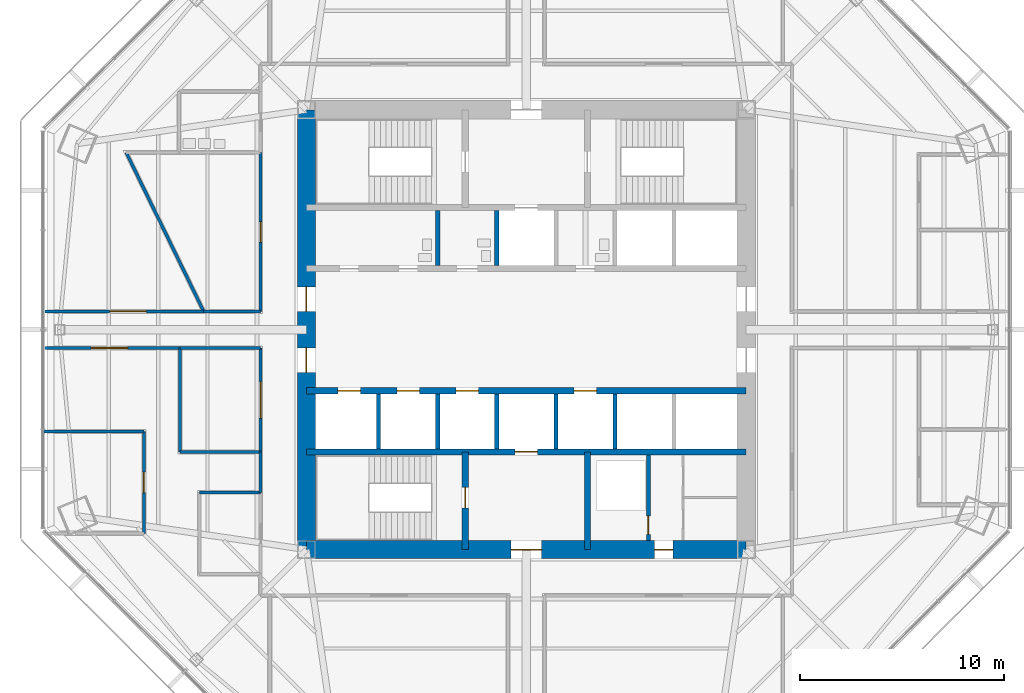
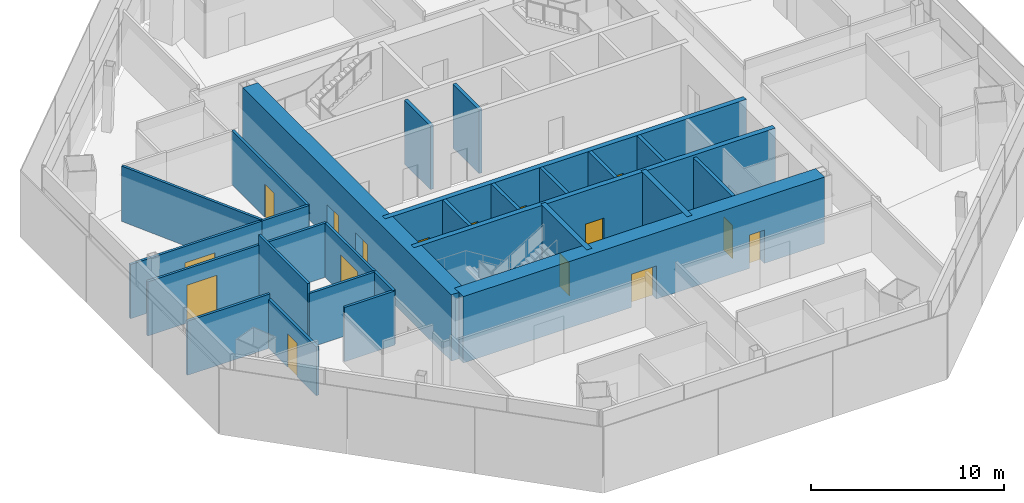
# One storey, part 9 of 15: 27 walls, 16 doors, 16 openings.
"""IFC4 building model written with IfcOpenShell, lengths in metres."""

from ifc_helpers import new_model, si_unit, direction, frame, frame_2d, origin, place, context, subcontext, project, spatial, rectangle, extrude, material, layer, layer_set, type_object, element, fill, save


model = new_model("IFC4")

# Units and contexts
model_context = context("Model", 3, precision=1e-05, world=origin(), true_north=direction((0.0, 1.0)))
body_context = subcontext(model_context, "Body", "Model", "MODEL_VIEW")
ifc_project = project(units=[si_unit("LENGTHUNIT", "METRE"), si_unit("AREAUNIT", "SQUARE_METRE"), si_unit("VOLUMEUNIT", "CUBIC_METRE"), si_unit("PLANEANGLEUNIT", "RADIAN"), si_unit("MASSUNIT", "GRAM", prefix="KILO")], contexts=[model_context])

# Site, building, storey
site_placement = place(None, origin())
site = spatial("IfcSite", under=ifc_project, at=site_placement, CompositionType="ELEMENT")
building_placement = place(site_placement, origin())
building = spatial("IfcBuilding", under=site, at=building_placement, Name="Mashrafa Tower", CompositionType="ELEMENT")
storey_placement = place(building_placement, frame((0.0, 0.0, 151.199951171875)))
storey = spatial("IfcBuildingStorey", under=building, at=storey_placement, Name="L34", CompositionType="ELEMENT", Elevation=151.199951171875)

# Wall, opening, door
ifc_material_1 = material(Name="Concrete masonry unit", Category="masonry")
ifc_layer_1 = layer(ifc_material_1, 0.199951171875)
ifc_layer_set_1 = layer_set([ifc_layer_1], Name="Blockwork wall 200 2 hr")
wall_type_1 = type_object("IfcWallType", Name="Blockwork wall 200 2 hr", PredefinedType="PARTITIONING", material=ifc_layer_set_1)
wall_1_placement = place(storey_placement, frame((6.0, -10.35009765625, 0.0), z_axis=(0.0, 0.0, 1.0), x_axis=(0.0, 1.0, 0.0)))
wall_1 = element("IfcWall", 1, at=wall_1_placement, inside=storey, type_object=wall_type_1, Name="Riser enclosure wall L34", PredefinedType="PARTITIONING", context=body_context, shape_type="SweptSolid", body=[
    extrude(rectangle(XDim=4.2001953125, YDim=0.199951171875, at=frame_2d((2.10009765625, 0.0))), origin(), (0.0, 0.0, 1.0), 4.03515625),
])
opening_1_placement = place(wall_1_placement, frame((0.300048828125, 0.0, 0.0)))
opening_1 = element("IfcOpeningElement", 2, at=opening_1_placement, cuts=wall_1, Name="Opening 34.036", PredefinedType="OPENING", context=body_context, shape_type="SweptSolid", body=[
    extrude(rectangle(XDim=0.89990234375, YDim=2.10009765625, at=frame_2d((0.449951171875, 1.050048828125))), frame((0.0, 0.10986328125, 0.0), z_axis=(0.0, -1.0, 0.0), x_axis=(1.0, 0.0, 0.0)), (0.0, 0.0, 1.0), 0.219970703125),
])
ifc_material_2 = material(Name="Steel door", Category="steel")
door_type_1 = type_object("IfcDoorType", Name="Service door 900 x 2100 90 min", OperationType="USERDEFINED", PredefinedType="DOOR", material=ifc_material_2)
door_1_placement = place(opening_1_placement, origin())
door_1 = element("IfcDoor", 3, at=door_1_placement, inside=storey, type_object=door_type_1, Name="Riser door L34", OperationType="SINGLE_SWING_LEFT", OverallHeight=2.10009765625, OverallWidth=0.89990234375, PredefinedType="DOOR", context=body_context, shape_type="SweptSolid", body=[
    extrude(rectangle(XDim=0.89990234375, YDim=2.10009765625, at=frame_2d((0.449951171875, 1.050048828125))), frame((0.0, 0.02490234375, 0.0), z_axis=(0.0, -1.0, 0.0), x_axis=(1.0, 0.0, 0.0)), (0.0, 0.0, 1.0), 0.050048828125),
])
fill(opening_1, door_1)

# Wall, openings, doors
ifc_material_3 = material(Name="Concrete C60/75", Category="concrete")
ifc_layer_2 = layer(ifc_material_3, 0.300048828125)
ifc_layer_set_2 = layer_set([ifc_layer_2], Name="Core wall 300 C60/75")
wall_type_2 = type_object("IfcWallType", Name="Core wall 300 C60/75", PredefinedType="SOLIDWALL", material=ifc_layer_set_2)
wall_2_placement = place(storey_placement, frame((-10.800048828125, -3.0, 0.0), z_axis=(0.0, 0.0, 1.0), x_axis=(1.0, 0.0, 0.0)))
wall_2 = element("IfcWall", 4, at=wall_2_placement, inside=storey, type_object=wall_type_2, Name="Core wall CH-S L34", PredefinedType="SOLIDWALL", context=body_context, shape_type="SweptSolid", body=[
    extrude(rectangle(XDim=21.60009765625, YDim=0.300048828125, at=frame_2d((10.800048828125, 0.0))), origin(), (0.0, 0.0, 1.0), 4.199951171875),
])
opening_2_placement = place(wall_2_placement, frame((1.550048828125, 0.0, 0.0)))
opening_2 = element("IfcOpeningElement", 5, at=opening_2_placement, cuts=wall_2, Name="Opening 34.B1", PredefinedType="OPENING", context=body_context, shape_type="SweptSolid", body=[
    extrude(rectangle(XDim=1.10009765625, YDim=2.10009765625, at=frame_2d((0.550048828125, 1.050048828125))), frame((0.0, 0.159912109375, 0.0), z_axis=(0.0, -1.0, 0.0), x_axis=(1.0, 0.0, 0.0)), (0.0, 0.0, 1.0), 0.320068359375),
])
opening_3_placement = place(wall_2_placement, frame((4.449951171875, 0.0, 0.0)))
opening_3 = element("IfcOpeningElement", 6, at=opening_3_placement, cuts=wall_2, Name="Opening 34.B2", PredefinedType="OPENING", context=body_context, shape_type="SweptSolid", body=[
    extrude(rectangle(XDim=1.10009765625, YDim=2.10009765625, at=frame_2d((0.550048828125, 1.050048828125))), frame((0.0, 0.159912109375, 0.0), z_axis=(0.0, -1.0, 0.0), x_axis=(1.0, 0.0, 0.0)), (0.0, 0.0, 1.0), 0.320068359375),
])
opening_4_placement = place(wall_2_placement, frame((7.35009765625, 0.0, 0.0)))
opening_4 = element("IfcOpeningElement", 7, at=opening_4_placement, cuts=wall_2, Name="Opening 34.B3", PredefinedType="OPENING", context=body_context, shape_type="SweptSolid", body=[
    extrude(rectangle(XDim=1.10009765625, YDim=2.10009765625, at=frame_2d((0.550048828125, 1.050048828125))), frame((0.0, 0.159912109375, 0.0), z_axis=(0.0, -1.0, 0.0), x_axis=(1.0, 0.0, 0.0)), (0.0, 0.0, 1.0), 0.320068359375),
])
opening_5_placement = place(wall_2_placement, frame((13.14990234375, 0.0, 0.0)))
opening_5 = element("IfcOpeningElement", 8, at=opening_5_placement, cuts=wall_2, Name="Opening 34.B4", PredefinedType="OPENING", context=body_context, shape_type="SweptSolid", body=[
    extrude(rectangle(XDim=1.10009765625, YDim=2.10009765625, at=frame_2d((0.550048828125, 1.050048828125))), frame((0.0, 0.159912109375, 0.0), z_axis=(0.0, -1.0, 0.0), x_axis=(1.0, 0.0, 0.0)), (0.0, 0.0, 1.0), 0.320068359375),
])
ifc_material_4 = material(Name="Steel door", Category="steel")
door_type_2 = type_object("IfcDoorType", Name="Lift landing door 1100 x 2100 90 min", OperationType="DOUBLE_DOOR_SLIDING", PredefinedType="DOOR", material=ifc_material_4)
door_2_placement = place(opening_2_placement, origin())
door_2 = element("IfcDoor", 9, at=door_2_placement, inside=storey, type_object=door_type_2, Name="Lift landing door B1 L34", OperationType="DOUBLE_DOOR_SLIDING", OverallHeight=2.10009765625, OverallWidth=1.10009765625, PredefinedType="DOOR", context=body_context, shape_type="SweptSolid", body=[
    extrude(rectangle(XDim=1.10009765625, YDim=2.10009765625, at=frame_2d((0.550048828125, 1.050048828125))), frame((0.0, 0.02490234375, 0.0), z_axis=(0.0, -1.0, 0.0), x_axis=(1.0, 0.0, 0.0)), (0.0, 0.0, 1.0), 0.050048828125),
])
fill(opening_2, door_2)
door_3_placement = place(opening_3_placement, origin())
door_3 = element("IfcDoor", 10, at=door_3_placement, inside=storey, type_object=door_type_2, Name="Lift landing door B2 L34", OperationType="DOUBLE_DOOR_SLIDING", OverallHeight=2.10009765625, OverallWidth=1.10009765625, PredefinedType="DOOR", context=body_context, shape_type="SweptSolid", body=[
    extrude(rectangle(XDim=1.10009765625, YDim=2.10009765625, at=frame_2d((0.550048828125, 1.050048828125))), frame((0.0, 0.02490234375, 0.0), z_axis=(0.0, -1.0, 0.0), x_axis=(1.0, 0.0, 0.0)), (0.0, 0.0, 1.0), 0.050048828125),
])
fill(opening_3, door_3)
door_4_placement = place(opening_4_placement, origin())
door_4 = element("IfcDoor", 11, at=door_4_placement, inside=storey, type_object=door_type_2, Name="Lift landing door B3 L34", OperationType="DOUBLE_DOOR_SLIDING", OverallHeight=2.10009765625, OverallWidth=1.10009765625, PredefinedType="DOOR", context=body_context, shape_type="SweptSolid", body=[
    extrude(rectangle(XDim=1.10009765625, YDim=2.10009765625, at=frame_2d((0.550048828125, 1.050048828125))), frame((0.0, 0.02490234375, 0.0), z_axis=(0.0, -1.0, 0.0), x_axis=(1.0, 0.0, 0.0)), (0.0, 0.0, 1.0), 0.050048828125),
])
fill(opening_4, door_4)
door_5_placement = place(opening_5_placement, origin())
door_5 = element("IfcDoor", 12, at=door_5_placement, inside=storey, type_object=door_type_2, Name="Lift landing door B4 L34", OperationType="DOUBLE_DOOR_SLIDING", OverallHeight=2.10009765625, OverallWidth=1.10009765625, PredefinedType="DOOR", context=body_context, shape_type="SweptSolid", body=[
    extrude(rectangle(XDim=1.10009765625, YDim=2.10009765625, at=frame_2d((0.550048828125, 1.050048828125))), frame((0.0, 0.02490234375, 0.0), z_axis=(0.0, -1.0, 0.0), x_axis=(1.0, 0.0, 0.0)), (0.0, 0.0, 1.0), 0.050048828125),
])
fill(opening_5, door_5)

# Wall, opening, door
wall_3_placement = place(storey_placement, frame((-10.800048828125, -6.0, 0.0), z_axis=(0.0, 0.0, 1.0), x_axis=(1.0, 0.0, 0.0)))
wall_3 = element("IfcWall", 13, at=wall_3_placement, inside=storey, type_object=wall_type_2, Name="Core wall CB-S L34", PredefinedType="SOLIDWALL", context=body_context, shape_type="SweptSolid", body=[
    extrude(rectangle(XDim=21.60009765625, YDim=0.300048828125, at=frame_2d((10.800048828125, 0.0))), origin(), (0.0, 0.0, 1.0), 4.199951171875),
])
opening_6_placement = place(wall_3_placement, frame((10.25, 0.0, 0.0)))
opening_6 = element("IfcOpeningElement", 14, at=opening_6_placement, cuts=wall_3, Name="Opening 34.F2", PredefinedType="OPENING", context=body_context, shape_type="SweptSolid", body=[
    extrude(rectangle(XDim=1.10009765625, YDim=2.10009765625, at=frame_2d((0.550048828125, 1.050048828125))), frame((0.0, 0.159912109375, 0.0), z_axis=(0.0, -1.0, 0.0), x_axis=(1.0, 0.0, 0.0)), (0.0, 0.0, 1.0), 0.320068359375),
])
door_6_placement = place(opening_6_placement, origin())
door_6 = element("IfcDoor", 15, at=door_6_placement, inside=storey, type_object=door_type_2, Name="Lift landing door F2 L34", OperationType="DOUBLE_DOOR_SLIDING", OverallHeight=2.10009765625, OverallWidth=1.10009765625, PredefinedType="DOOR", context=body_context, shape_type="SweptSolid", body=[
    extrude(rectangle(XDim=1.10009765625, YDim=2.10009765625, at=frame_2d((0.550048828125, 1.050048828125))), frame((0.0, 0.02490234375, 0.0), z_axis=(0.0, -1.0, 0.0), x_axis=(1.0, 0.0, 0.0)), (0.0, 0.0, 1.0), 0.050048828125),
])
fill(opening_6, door_6)

wall_4_placement = place(storey_placement, frame((-3.0, -6.0, 0.0), z_axis=(0.0, 0.0, 1.0), x_axis=(0.0, -1.0, 0.0)))
wall_4 = element("IfcWall", 16, at=wall_4_placement, inside=storey, type_object=wall_type_2, Name="Core wall CX-SW L34", PredefinedType="SOLIDWALL", context=body_context, shape_type="SweptSolid", body=[
    extrude(rectangle(XDim=4.800048828125, YDim=0.300048828125, at=frame_2d((2.39990234375, 0.0))), origin(), (0.0, 0.0, 1.0), 4.199951171875),
])
opening_7_placement = place(wall_4_placement, frame((1.75, 0.0, 0.0)))
opening_7 = element("IfcOpeningElement", 17, at=opening_7_placement, cuts=wall_4, Name="Opening 34.034", PredefinedType="OPENING", context=body_context, shape_type="SweptSolid", body=[
    extrude(rectangle(XDim=1.0, YDim=2.10009765625, at=frame_2d((0.5, 1.050048828125))), frame((0.0, 0.159912109375, 0.0), z_axis=(0.0, -1.0, 0.0), x_axis=(1.0, 0.0, 0.0)), (0.0, 0.0, 1.0), 0.320068359375),
])
ifc_material_5 = material(Name="Steel door", Category="steel")
door_type_3 = type_object("IfcDoorType", Name="Stair door 1000 x 2100 90 min", OperationType="USERDEFINED", PredefinedType="DOOR", material=ifc_material_5)
door_7_placement = place(opening_7_placement, frame((1.0, 0.0, 0.0), z_axis=(0.0, 0.0, 1.0), x_axis=(-1.0, 0.0, 0.0)))
door_7 = element("IfcDoor", 18, at=door_7_placement, inside=storey, type_object=door_type_3, Name="Stair S3 door L34", OperationType="SINGLE_SWING_RIGHT", OverallHeight=2.10009765625, OverallWidth=1.0, PredefinedType="DOOR", context=body_context, shape_type="SweptSolid", body=[
    extrude(rectangle(XDim=1.0, YDim=2.10009765625, at=frame_2d((0.5, 1.050048828125))), frame((0.0, 0.02490234375, 0.0), z_axis=(0.0, -1.0, 0.0), x_axis=(1.0, 0.0, 0.0)), (0.0, 0.0, 1.0), 0.050048828125),
])
fill(opening_7, door_7)

# Wall
wall_5_placement = place(storey_placement, frame((3.0, -6.0, 0.0), z_axis=(0.0, 0.0, 1.0), x_axis=(0.0, -1.0, 0.0)))
element("IfcWall", 19, at=wall_5_placement, inside=storey, type_object=wall_type_2, Name="Core wall CX-SE L34", PredefinedType="SOLIDWALL", context=body_context, shape_type="SweptSolid", body=[
    extrude(rectangle(XDim=4.800048828125, YDim=0.300048828125, at=frame_2d((2.39990234375, 0.0))), origin(), (0.0, 0.0, 1.0), 4.199951171875),
])

# Wall, openings, doors
ifc_material_6 = material(Name="Concrete C60/75", Category="concrete")
ifc_layer_3 = layer(ifc_material_6, 0.89990234375)
ifc_layer_set_3 = layer_set([ifc_layer_3], Name="Core wall 900 C60/75")
wall_type_3 = type_object("IfcWallType", Name="Core wall 900 C60/75", PredefinedType="SOLIDWALL", material=ifc_layer_set_3)
wall_6_placement = place(storey_placement, frame((-10.800048828125, -10.800048828125, 0.0), z_axis=(0.0, 0.0, 1.0), x_axis=(1.0, 0.0, 0.0)))
wall_6 = element("IfcWall", 20, at=wall_6_placement, inside=storey, type_object=wall_type_3, Name="Core wall CW-S L34", PredefinedType="SOLIDWALL", context=body_context, shape_type="SweptSolid", body=[
    extrude(rectangle(XDim=21.60009765625, YDim=0.89990234375, at=frame_2d((10.800048828125, 0.0))), origin(), (0.0, 0.0, 1.0), 4.199951171875),
])
opening_8_placement = place(wall_6_placement, frame((10.050048828125, 0.0, 0.0)))
opening_8 = element("IfcOpeningElement", 21, at=opening_8_placement, cuts=wall_6, Name="Opening 34.031", PredefinedType="OPENING", context=body_context, shape_type="SweptSolid", body=[
    extrude(rectangle(XDim=1.5, YDim=2.10009765625, at=frame_2d((0.75, 1.050048828125))), frame((0.0, 0.4599609375, 0.0), z_axis=(0.0, -1.0, 0.0), x_axis=(1.0, 0.0, 0.0)), (0.0, 0.0, 1.0), 0.919921875),
])
opening_9_placement = place(wall_6_placement, frame((17.10009765625, 0.0, 0.0)))
opening_9 = element("IfcOpeningElement", 22, at=opening_9_placement, cuts=wall_6, Name="Opening 34.035", PredefinedType="OPENING", context=body_context, shape_type="SweptSolid", body=[
    extrude(rectangle(XDim=0.89990234375, YDim=2.10009765625, at=frame_2d((0.449951171875, 1.050048828125))), frame((0.0, 0.4599609375, 0.0), z_axis=(0.0, -1.0, 0.0), x_axis=(1.0, 0.0, 0.0)), (0.0, 0.0, 1.0), 0.919921875),
])
ifc_material_7 = material(Name="Steel door", Category="steel")
door_type_4 = type_object("IfcDoorType", Name="Lobby door pair 1500 x 2100 90 min", OperationType="DOUBLE_DOOR_SINGLE_SWING", PredefinedType="DOOR", material=ifc_material_7)
door_8_placement = place(opening_8_placement, origin())
door_8 = element("IfcDoor", 23, at=door_8_placement, inside=storey, type_object=door_type_4, Name="Fire-fighting lobby F2 door L34", OperationType="DOUBLE_DOOR_SINGLE_SWING", OverallHeight=2.10009765625, OverallWidth=1.5, PredefinedType="DOOR", context=body_context, shape_type="SweptSolid", body=[
    extrude(rectangle(XDim=1.5, YDim=2.10009765625, at=frame_2d((0.75, 1.050048828125))), frame((0.0, 0.02490234375, 0.0), z_axis=(0.0, -1.0, 0.0), x_axis=(1.0, 0.0, 0.0)), (0.0, 0.0, 1.0), 0.050048828125),
])
fill(opening_8, door_8)
door_9_placement = place(opening_9_placement, frame((0.89990234375, 0.0, 0.0), z_axis=(0.0, 0.0, 1.0), x_axis=(-1.0, 0.0, 0.0)))
door_9 = element("IfcDoor", 24, at=door_9_placement, inside=storey, type_object=door_type_1, Name="Services Lobby L34 door", OperationType="SINGLE_SWING_LEFT", OverallHeight=2.10009765625, OverallWidth=0.89990234375, PredefinedType="DOOR", context=body_context, shape_type="SweptSolid", body=[
    extrude(rectangle(XDim=0.89990234375, YDim=2.10009765625, at=frame_2d((0.449951171875, 1.050048828125))), frame((0.0, 0.02490234375, 0.0), z_axis=(0.0, -1.0, 0.0), x_axis=(1.0, 0.0, 0.0)), (0.0, 0.0, 1.0), 0.050048828125),
])
fill(opening_9, door_9)

wall_7_placement = place(storey_placement, frame((-10.800048828125, 10.800048828125, 0.0), z_axis=(0.0, 0.0, 1.0), x_axis=(0.0, -1.0, 0.0)))
wall_7 = element("IfcWall", 25, at=wall_7_placement, inside=storey, type_object=wall_type_3, Name="Core wall CW-W L34", PredefinedType="SOLIDWALL", context=body_context, shape_type="SweptSolid", body=[
    extrude(rectangle(XDim=21.60009765625, YDim=0.89990234375, at=frame_2d((10.800048828125, 0.0))), origin(), (0.0, 0.0, 1.0), 4.199951171875),
])
opening_10_placement = place(wall_7_placement, frame((8.699951171875, 0.0, 0.0)))
opening_10 = element("IfcOpeningElement", 26, at=opening_10_placement, cuts=wall_7, Name="Opening 34.027", PredefinedType="OPENING", context=body_context, shape_type="SweptSolid", body=[
    extrude(rectangle(XDim=1.199951171875, YDim=2.10009765625, at=frame_2d((0.60009765625, 1.050048828125))), frame((0.0, 0.4599609375, 0.0), z_axis=(0.0, -1.0, 0.0), x_axis=(1.0, 0.0, 0.0)), (0.0, 0.0, 1.0), 0.919921875),
])
opening_11_placement = place(wall_7_placement, frame((11.699951171875, 0.0, 0.0)))
opening_11 = element("IfcOpeningElement", 27, at=opening_11_placement, cuts=wall_7, Name="Opening 34.029", PredefinedType="OPENING", context=body_context, shape_type="SweptSolid", body=[
    extrude(rectangle(XDim=1.199951171875, YDim=2.10009765625, at=frame_2d((0.60009765625, 1.050048828125))), frame((0.0, 0.4599609375, 0.0), z_axis=(0.0, -1.0, 0.0), x_axis=(1.0, 0.0, 0.0)), (0.0, 0.0, 1.0), 0.919921875),
])
ifc_material_8 = material(Name="Steel door", Category="steel")
door_type_5 = type_object("IfcDoorType", Name="Lift hall door 1200 x 2100 90 min", OperationType="USERDEFINED", PredefinedType="DOOR", material=ifc_material_8)
door_10_placement = place(opening_10_placement, frame((1.199951171875, 0.0, 0.0), z_axis=(0.0, 0.0, 1.0), x_axis=(-1.0, 0.0, 0.0)))
door_10 = element("IfcDoor", 28, at=door_10_placement, inside=storey, type_object=door_type_5, Name="Lift hall door west L34", OperationType="SINGLE_SWING_RIGHT", OverallHeight=2.10009765625, OverallWidth=1.199951171875, PredefinedType="DOOR", context=body_context, shape_type="SweptSolid", body=[
    extrude(rectangle(XDim=1.199951171875, YDim=2.10009765625, at=frame_2d((0.60009765625, 1.050048828125))), frame((0.0, 0.02490234375, 0.0), z_axis=(0.0, -1.0, 0.0), x_axis=(1.0, 0.0, 0.0)), (0.0, 0.0, 1.0), 0.050048828125),
])
fill(opening_10, door_10)
door_11_placement = place(opening_11_placement, frame((1.199951171875, 0.0, 0.0), z_axis=(0.0, 0.0, 1.0), x_axis=(-1.0, 0.0, 0.0)))
door_11 = element("IfcDoor", 29, at=door_11_placement, inside=storey, type_object=door_type_5, Name="Lift hall door west L34", OperationType="SINGLE_SWING_LEFT", OverallHeight=2.10009765625, OverallWidth=1.199951171875, PredefinedType="DOOR", context=body_context, shape_type="SweptSolid", body=[
    extrude(rectangle(XDim=1.199951171875, YDim=2.10009765625, at=frame_2d((0.60009765625, 1.050048828125))), frame((0.0, 0.02490234375, 0.0), z_axis=(0.0, -1.0, 0.0), x_axis=(1.0, 0.0, 0.0)), (0.0, 0.0, 1.0), 0.050048828125),
])
fill(opening_11, door_11)

# Wall, opening, door
ifc_material_9 = material(Name="Gypsum board on steel studs", Category="steel")
ifc_layer_4 = layer(ifc_material_9, 0.14990234375)
ifc_layer_set_4 = layer_set([ifc_layer_4], Name="Corridor partition 150 1 hr")
wall_type_4 = type_object("IfcWallType", Name="Corridor partition 150 1 hr", PredefinedType="PARTITIONING", material=ifc_layer_set_4)
wall_8_placement = place(storey_placement, frame((-13.050048828125, 8.700927734375, 0.0), z_axis=(0.0, 0.0, 1.0), x_axis=(0.0, -1.0, 0.0)))
wall_8 = element("IfcWall", 30, at=wall_8_placement, inside=storey, type_object=wall_type_4, Name="Corridor wall L34-001", PredefinedType="PARTITIONING", context=body_context, shape_type="SweptSolid", body=[
    extrude(rectangle(XDim=7.801025390625, YDim=0.14990234375, at=frame_2d((3.900390625, 0.0))), origin(), (0.0, 0.0, 1.0), 3.425537109375),
])
opening_12_placement = place(wall_8_placement, frame((3.400390625, 0.0, 0.0)))
opening_12 = element("IfcOpeningElement", 31, at=opening_12_placement, cuts=wall_8, Name="Opening 34.001", PredefinedType="OPENING", context=body_context, shape_type="SweptSolid", body=[
    extrude(rectangle(XDim=1.0, YDim=2.10009765625, at=frame_2d((0.5, 1.050048828125))), frame((0.0, 0.0849609375, 0.0), z_axis=(0.0, -1.0, 0.0), x_axis=(1.0, 0.0, 0.0)), (0.0, 0.0, 1.0), 0.169921875),
])
ifc_material_10 = material(Name="Timber door", Category="wood")
door_type_6 = type_object("IfcDoorType", Name="Door 1000 x 2100", OperationType="USERDEFINED", PredefinedType="DOOR", material=ifc_material_10)
door_12_placement = place(opening_12_placement, frame((1.0, 0.0, 0.0), z_axis=(0.0, 0.0, 1.0), x_axis=(-1.0, 0.0, 0.0)))
door_12 = element("IfcDoor", 32, at=door_12_placement, inside=storey, type_object=door_type_6, Name="Musallah Prayer Room 34 door", OperationType="SINGLE_SWING_LEFT", OverallHeight=2.10009765625, OverallWidth=1.0, PredefinedType="DOOR", context=body_context, shape_type="SweptSolid", body=[
    extrude(rectangle(XDim=1.0, YDim=2.10009765625, at=frame_2d((0.5, 1.050048828125))), frame((0.0, 0.02490234375, 0.0), z_axis=(0.0, -1.0, 0.0), x_axis=(1.0, 0.0, 0.0)), (0.0, 0.0, 1.0), 0.050048828125),
])
fill(opening_12, door_12)

# Walls
wall_9_placement = place(storey_placement, frame((-13.050048828125, 0.89990234375, 0.0), z_axis=(0.0, 0.0, 1.0), x_axis=(-1.0, 0.0, 0.0)))
element("IfcWall", 33, at=wall_9_placement, inside=storey, type_object=wall_type_4, Name="Corridor wall L34-002", PredefinedType="PARTITIONING", context=body_context, shape_type="SweptSolid", body=[
    extrude(rectangle(XDim=2.796630859375, YDim=0.14990234375, at=frame_2d((1.3984375, 0.0))), origin(), (0.0, 0.0, 1.0), 3.425537109375),
])
wall_10_placement = place(storey_placement, frame((-17.0009765625, -0.89990234375, 0.0), z_axis=(0.0, 0.0, 1.0), x_axis=(1.0, 0.0, 0.0)))
element("IfcWall", 34, at=wall_10_placement, inside=storey, type_object=wall_type_4, Name="Corridor wall L34-011", PredefinedType="PARTITIONING", context=body_context, shape_type="SweptSolid", body=[
    extrude(rectangle(XDim=3.950927734375, YDim=0.14990234375, at=frame_2d((1.9755859375, 0.0))), origin(), (0.0, 0.0, 1.0), 3.425537109375),
])

# Wall, opening, door
wall_11_placement = place(storey_placement, frame((-13.050048828125, -0.89990234375, 0.0), z_axis=(0.0, 0.0, 1.0), x_axis=(0.0, -1.0, 0.0)))
wall_11 = element("IfcWall", 35, at=wall_11_placement, inside=storey, type_object=wall_type_4, Name="Corridor wall L34-012", PredefinedType="PARTITIONING", context=body_context, shape_type="SweptSolid", body=[
    extrude(rectangle(XDim=5.10107421875, YDim=0.14990234375, at=frame_2d((2.550537109375, 0.0))), origin(), (0.0, 0.0, 1.0), 3.425537109375),
])
opening_13_placement = place(wall_11_placement, frame((1.650390625, 0.0, 0.0)))
opening_13 = element("IfcOpeningElement", 36, at=opening_13_placement, cuts=wall_11, Name="Opening 34.017", PredefinedType="OPENING", context=body_context, shape_type="SweptSolid", body=[
    extrude(rectangle(XDim=1.800048828125, YDim=2.39990234375, at=frame_2d((0.89990234375, 1.199951171875))), frame((0.0, 0.0849609375, 0.0), z_axis=(0.0, -1.0, 0.0), x_axis=(1.0, 0.0, 0.0)), (0.0, 0.0, 1.0), 0.169921875),
])
ifc_material_11 = material(Name="Steel door", Category="steel")
door_type_7 = type_object("IfcDoorType", Name="Door pair 1800 x 2400 90 min", OperationType="DOUBLE_DOOR_SINGLE_SWING", PredefinedType="DOOR", material=ifc_material_11)
door_13_placement = place(opening_13_placement, origin())
door_13 = element("IfcDoor", 37, at=door_13_placement, inside=storey, type_object=door_type_7, Name="Business Centre Reception 34 door", OperationType="DOUBLE_DOOR_SINGLE_SWING", OverallHeight=2.39990234375, OverallWidth=1.800048828125, PredefinedType="DOOR", context=body_context, shape_type="SweptSolid", body=[
    extrude(rectangle(XDim=1.800048828125, YDim=2.39990234375, at=frame_2d((0.89990234375, 1.199951171875))), frame((0.0, 0.02490234375, 0.0), z_axis=(0.0, -1.0, 0.0), x_axis=(1.0, 0.0, 0.0)), (0.0, 0.0, 1.0), 0.050048828125),
])
fill(opening_13, door_13)

wall_12_placement = place(storey_placement, frame((-15.844482421875, 0.89990234375, 0.0), z_axis=(0.0, 0.0, 1.0), x_axis=(-1.0, 0.0, 0.0)))
wall_12 = element("IfcWall", 38, at=wall_12_placement, inside=storey, type_object=wall_type_4, Name="Corridor wall L34-018", PredefinedType="PARTITIONING", context=body_context, shape_type="SweptSolid", body=[
    extrude(rectangle(XDim=7.876953125, YDim=0.14990234375, at=frame_2d((3.9384765625, 0.0))), origin(), (0.0, 0.0, 1.0), 3.425537109375),
])
opening_14_placement = place(wall_12_placement, frame((2.821533203125, 0.0, 0.0)))
opening_14 = element("IfcOpeningElement", 39, at=opening_14_placement, cuts=wall_12, Name="Opening 34.020", PredefinedType="OPENING", context=body_context, shape_type="SweptSolid", body=[
    extrude(rectangle(XDim=1.800048828125, YDim=2.39990234375, at=frame_2d((0.89990234375, 1.199951171875))), frame((0.0, 0.0849609375, 0.0), z_axis=(0.0, -1.0, 0.0), x_axis=(1.0, 0.0, 0.0)), (0.0, 0.0, 1.0), 0.169921875),
])
ifc_material_12 = material(Name="Timber door", Category="wood")
door_type_8 = type_object("IfcDoorType", Name="Door pair 1800 x 2400", OperationType="DOUBLE_DOOR_SINGLE_SWING", PredefinedType="DOOR", material=ifc_material_12)
door_14_placement = place(opening_14_placement, frame((1.800048828125, 0.0, 0.0), z_axis=(0.0, 0.0, 1.0), x_axis=(-1.0, 0.0, 0.0)))
door_14 = element("IfcDoor", 40, at=door_14_placement, inside=storey, type_object=door_type_8, Name="Business Centre Suite 34-NW1 door", OperationType="DOUBLE_DOOR_SINGLE_SWING", OverallHeight=2.39990234375, OverallWidth=1.800048828125, PredefinedType="DOOR", context=body_context, shape_type="SweptSolid", body=[
    extrude(rectangle(XDim=1.800048828125, YDim=2.39990234375, at=frame_2d((0.89990234375, 1.199951171875))), frame((0.0, 0.02490234375, 0.0), z_axis=(0.0, -1.0, 0.0), x_axis=(1.0, 0.0, 0.0)), (0.0, 0.0, 1.0), 0.050048828125),
])
fill(opening_14, door_14)

wall_13_placement = place(storey_placement, frame((-23.721435546875, -0.89990234375, 0.0), z_axis=(0.0, 0.0, 1.0), x_axis=(1.0, 0.0, 0.0)))
wall_13 = element("IfcWall", 41, at=wall_13_placement, inside=storey, type_object=wall_type_4, Name="Corridor wall L34-023", PredefinedType="PARTITIONING", context=body_context, shape_type="SweptSolid", body=[
    extrude(rectangle(XDim=6.722412109375, YDim=0.14990234375, at=frame_2d((3.361328125, 0.0))), origin(), (0.0, 0.0, 1.0), 3.425537109375),
])
opening_15_placement = place(wall_13_placement, frame((2.34326171875, 0.0, 0.0)))
opening_15 = element("IfcOpeningElement", 42, at=opening_15_placement, cuts=wall_13, Name="Opening 34.022", PredefinedType="OPENING", context=body_context, shape_type="SweptSolid", body=[
    extrude(rectangle(XDim=1.800048828125, YDim=2.39990234375, at=frame_2d((0.89990234375, 1.199951171875))), frame((0.0, 0.0849609375, 0.0), z_axis=(0.0, -1.0, 0.0), x_axis=(1.0, 0.0, 0.0)), (0.0, 0.0, 1.0), 0.169921875),
])
door_15_placement = place(opening_15_placement, frame((1.800048828125, 0.0, 0.0), z_axis=(0.0, 0.0, 1.0), x_axis=(-1.0, 0.0, 0.0)))
door_15 = element("IfcDoor", 43, at=door_15_placement, inside=storey, type_object=door_type_8, Name="Business Centre Suite 34-SW1 door", OperationType="DOUBLE_DOOR_SINGLE_SWING", OverallHeight=2.39990234375, OverallWidth=1.800048828125, PredefinedType="DOOR", context=body_context, shape_type="SweptSolid", body=[
    extrude(rectangle(XDim=1.800048828125, YDim=2.39990234375, at=frame_2d((0.89990234375, 1.199951171875))), frame((0.0, 0.02490234375, 0.0), z_axis=(0.0, -1.0, 0.0), x_axis=(1.0, 0.0, 0.0)), (0.0, 0.0, 1.0), 0.050048828125),
])
fill(opening_15, door_15)

# Walls
wall_14_placement = place(storey_placement, frame((-13.050048828125, -5.9990234375, 0.0), z_axis=(0.0, 0.0, 1.0), x_axis=(0.0, -1.0, 0.0)))
element("IfcWall", 44, at=wall_14_placement, inside=storey, type_object=wall_type_4, Name="Corridor wall L34-026", PredefinedType="PARTITIONING", context=body_context, shape_type="SweptSolid", body=[
    extrude(rectangle(XDim=2.001953125, YDim=0.14990234375, at=frame_2d((1.0009765625, 0.0))), origin(), (0.0, 0.0, 1.0), 3.425537109375),
])
wall_15_placement = place(storey_placement, frame((-17.0, -0.89990234375, 0.0), z_axis=(0.0, 0.0, 1.0), x_axis=(0.0, -1.0, 0.0)))
element("IfcWall", 45, at=wall_15_placement, inside=storey, type_object=wall_type_4, Name="Corridor wall L34-076", PredefinedType="PARTITIONING", context=body_context, shape_type="SweptSolid", body=[
    extrude(rectangle(XDim=5.10009765625, YDim=0.14990234375, at=frame_2d((2.550048828125, 0.0))), origin(), (0.0, 0.0, 1.0), 4.03515625),
])
wall_16_placement = place(storey_placement, frame((-17.0, -6.0, 0.0), z_axis=(0.0, 0.0, 1.0), x_axis=(1.0, 0.0, 0.0)))
element("IfcWall", 46, at=wall_16_placement, inside=storey, type_object=wall_type_4, Name="Corridor wall L34-077", PredefinedType="PARTITIONING", context=body_context, shape_type="SweptSolid", body=[
    extrude(rectangle(XDim=3.949951171875, YDim=0.14990234375, at=frame_2d((1.97509765625, 0.0))), origin(), (0.0, 0.0, 1.0), 3.425537109375),
])
ifc_material_13 = material(Name="Gypsum board on steel studs", Category="steel")
ifc_layer_5 = layer(ifc_material_13, 0.14990234375)
ifc_layer_set_5 = layer_set([ifc_layer_5], Name="Partition 150")
wall_type_5 = type_object("IfcWallType", Name="Partition 150", PredefinedType="PARTITIONING", material=ifc_layer_set_5)
wall_17_placement = place(storey_placement, frame((-19.64990234375, 8.699951171875, 0.0), z_axis=(0.0, 0.0, 1.0), x_axis=(0.438358227548, -0.898800347319, 0.0)))
element("IfcWall", 47, at=wall_17_placement, inside=storey, type_object=wall_type_5, Name="Partition wall L34-036", PredefinedType="PARTITIONING", context=body_context, shape_type="SweptSolid", body=[
    extrude(rectangle(XDim=8.67822265625, YDim=0.14990234375, at=frame_2d((4.339111328125, 0.0))), origin(), (0.0, 0.0, 1.0), 3.499267578125),
])

# Wall, opening, door
wall_18_placement = place(storey_placement, frame((-18.78759765625, -10.0, 0.0), z_axis=(0.0, 0.0, 1.0), x_axis=(0.0, 1.0, 0.0)))
wall_18 = element("IfcWall", 48, at=wall_18_placement, inside=storey, type_object=wall_type_5, Name="Partition wall L34-071", PredefinedType="PARTITIONING", context=body_context, shape_type="SweptSolid", body=[
    extrude(rectangle(XDim=5.0, YDim=0.14990234375, at=frame_2d((2.5, 0.0))), origin(), (0.0, 0.0, 1.0), 3.097900390625),
])
opening_16_placement = place(wall_18_placement, frame((2.0, 0.0, 0.0)))
opening_16 = element("IfcOpeningElement", 49, at=opening_16_placement, cuts=wall_18, Name="Opening 34.015", PredefinedType="OPENING", context=body_context, shape_type="SweptSolid", body=[
    extrude(rectangle(XDim=1.0, YDim=2.10009765625, at=frame_2d((0.5, 1.050048828125))), frame((0.0, 0.0849609375, 0.0), z_axis=(0.0, -1.0, 0.0), x_axis=(1.0, 0.0, 0.0)), (0.0, 0.0, 1.0), 0.169921875),
])
door_16_placement = place(opening_16_placement, origin())
door_16 = element("IfcDoor", 50, at=door_16_placement, inside=storey, type_object=door_type_6, Name="Meeting Room 34-SW1 door", OperationType="SINGLE_SWING_LEFT", OverallHeight=2.10009765625, OverallWidth=1.0, PredefinedType="DOOR", context=body_context, shape_type="SweptSolid", body=[
    extrude(rectangle(XDim=1.0, YDim=2.10009765625, at=frame_2d((0.5, 1.050048828125))), frame((0.0, 0.02490234375, 0.0), z_axis=(0.0, -1.0, 0.0), x_axis=(1.0, 0.0, 0.0)), (0.0, 0.0, 1.0), 0.050048828125),
])
fill(opening_16, door_16)

# Walls
wall_19_placement = place(storey_placement, frame((-18.78759765625, -5.0, 0.0), z_axis=(0.0, 0.0, 1.0), x_axis=(-1.0, 0.0, 0.0)))
element("IfcWall", 51, at=wall_19_placement, inside=storey, type_object=wall_type_5, Name="Partition wall L34-072", PredefinedType="PARTITIONING", context=body_context, shape_type="SweptSolid", body=[
    extrude(rectangle(XDim=4.931884765625, YDim=0.14990234375, at=frame_2d((2.4658203125, 0.0))), origin(), (0.0, 0.0, 1.0), 3.425537109375),
])
wall_20_placement = place(storey_placement, frame((-13.050048828125, -8.0, 0.0), z_axis=(0.0, 0.0, 1.0), x_axis=(-1.0, 0.0, 0.0)))
element("IfcWall", 52, at=wall_20_placement, inside=storey, type_object=wall_type_5, Name="Partition wall L34-073", PredefinedType="PARTITIONING", context=body_context, shape_type="SweptSolid", body=[
    extrude(rectangle(XDim=3.0, YDim=0.14990234375, at=frame_2d((1.5, 0.0))), origin(), (0.0, 0.0, 1.0), 3.425537109375),
])
ifc_material_14 = material(Name="Gypsum shaft wall on steel studs", Category="steel")
ifc_layer_6 = layer(ifc_material_14, 0.199951171875)
ifc_layer_set_6 = layer_set([ifc_layer_6], Name="Shaft divider wall 200 2 hr")
wall_type_6 = type_object("IfcWallType", Name="Shaft divider wall 200 2 hr", PredefinedType="PARTITIONING", material=ifc_layer_set_6)
for number, where, z_axis, x_axis, name in (
    (53, (-4.35009765625, 3.14990234375, 0.0), (0.0, 0.0, 1.0), (0.0, 1.0, 0.0), "Shaft divider wall N2 L34"),
    (54, (-1.449951171875, 3.14990234375, 0.0), (0.0, 0.0, 1.0), (0.0, 1.0, 0.0), "Shaft divider wall N3 L34"),
):
    element("IfcWall", number, at=place(storey_placement, frame(where, z_axis=z_axis, x_axis=x_axis)), inside=storey, type_object=wall_type_6, Name=name, PredefinedType="PARTITIONING", context=body_context, shape_type="SweptSolid", body=[
        extrude(rectangle(XDim=2.7001953125, YDim=0.199951171875, at=frame_2d((1.35009765625, 0.0))), origin(), (0.0, 0.0, 1.0), 4.03515625),
    ])
for number, where, z_axis, x_axis, name in (
    (55, (-7.25, -5.85009765625, 0.0), (0.0, 0.0, 1.0), (0.0, 1.0, 0.0), "Shaft divider wall S1 L34"),
    (56, (-4.35009765625, -5.85009765625, 0.0), (0.0, 0.0, 1.0), (0.0, 1.0, 0.0), "Shaft divider wall S2 L34"),
    (57, (-1.449951171875, -5.85009765625, 0.0), (0.0, 0.0, 1.0), (0.0, 1.0, 0.0), "Shaft divider wall S3 L34"),
    (58, (1.449951171875, -5.85009765625, 0.0), (0.0, 0.0, 1.0), (0.0, 1.0, 0.0), "Shaft divider wall S4 L34"),
    (59, (4.35009765625, -5.85009765625, 0.0), (0.0, 0.0, 1.0), (0.0, 1.0, 0.0), "Shaft divider wall S5 L34"),
):
    element("IfcWall", number, at=place(storey_placement, frame(where, z_axis=z_axis, x_axis=x_axis)), inside=storey, type_object=wall_type_6, Name=name, PredefinedType="PARTITIONING", context=body_context, shape_type="SweptSolid", body=[
        extrude(rectangle(XDim=2.7001953125, YDim=0.199951171875, at=frame_2d((1.35009765625, 0.0))), origin(), (0.0, 0.0, 1.0), 4.199951171875),
    ])

save(model, "model.ifc")
